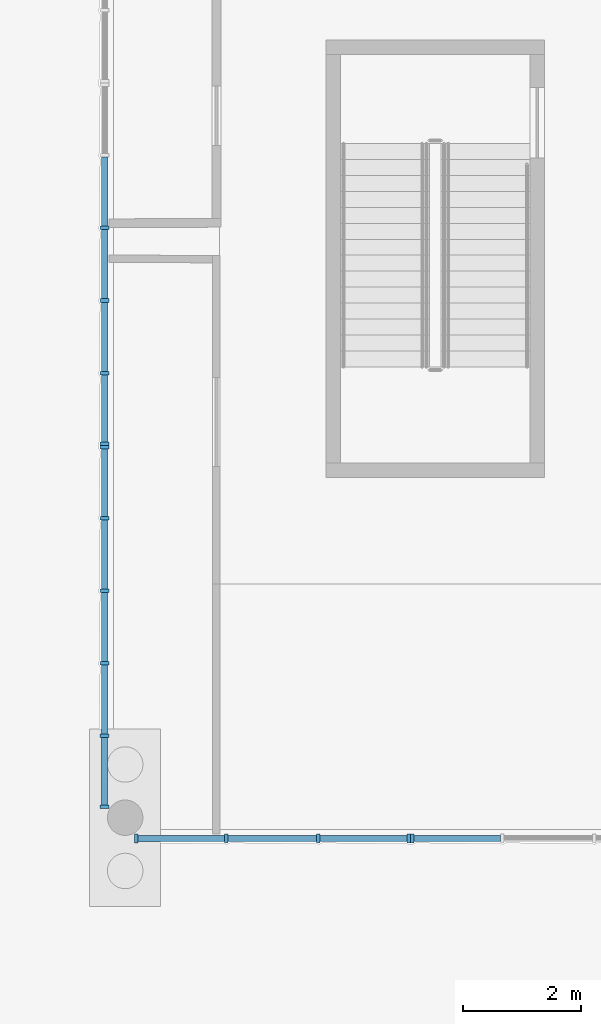
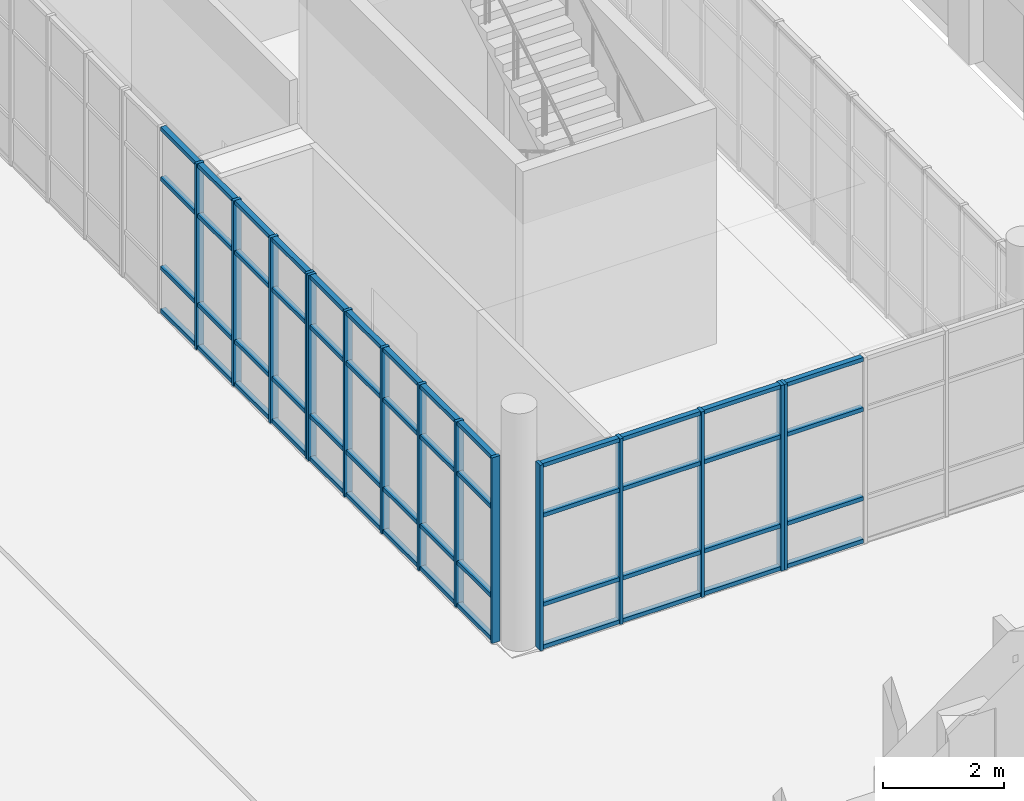
# One storey, part 12 of 110: 67 members, 4 elements without a shape of their own.
"""IFC4 building model written with IfcOpenShell, lengths in metres."""

import ifcopenshell
import ifcopenshell.guid

model = None  # the IFC model being written
_history = None  # IfcOwnerHistory: only IFC2X3 demands one
_inside = {}  # id of a spatial element -> (the spatial element, [elements in it])
_under = {}  # id of a project, library or spatial element -> (it, [spatial elements below it])
_declared = {}  # id of a project -> (the project, [libraries it declares])
_typed = {}  # id of a type object -> (the type object, [elements of that type])
_made_of = {}  # id of a material, layer set ... -> (it, [elements and type objects made of it])


def new_model(schema):
    """Start an empty IFC model of exactly this schema.

    Asked for "IFC4X3", IfcOpenShell would pick the latest addendum, in which some entities
    have other attributes; the version numbers below select the first issue.
    IFC2X3 requires an IfcOwnerHistory on every rooted entity: one is made here for all.
    """
    global model, _history
    if schema == "IFC4X3":
        model = ifcopenshell.file(schema_version=(4, 3, 0, 0))
    else:
        model = ifcopenshell.file(schema=schema)
    _inside.clear()
    _under.clear()
    _declared.clear()
    _typed.clear()
    _made_of.clear()
    _history = None
    if model.schema == "IFC2X3":
        org = make("IfcOrganization", Name="unknown")
        user = make(
            "IfcPersonAndOrganization",
            ThePerson=make("IfcPerson", FamilyName="unknown"),
            TheOrganization=org,
        )
        app = make(
            "IfcApplication",
            ApplicationDeveloper=org,
            Version="unknown",
            ApplicationFullName="unknown",
            ApplicationIdentifier="unknown",
        )
        _history = make(
            "IfcOwnerHistory",
            OwningUser=user,
            OwningApplication=app,
            ChangeAction="ADDED",
            CreationDate=0,
        )
    return model


def make(cls, **values):
    """One entity of the class cls with the attributes given. An attribute that is None is left unset."""
    return model.create_entity(
        cls, **{name: value for name, value in values.items() if value is not None}
    )


def rooted(cls, **values):
    """An entity with a GlobalId (a new one), such as an element, a storey or a relation."""
    return make(cls, GlobalId=ifcopenshell.guid.new(), OwnerHistory=_history, **values)


def si_unit(unit_type, name, prefix=None):
    """IfcSIUnit, for example si_unit("LENGTHUNIT", "METRE", prefix="MILLI")."""
    return make("IfcSIUnit", UnitType=unit_type, Prefix=prefix, Name=name)


def assignment(units):
    """IfcUnitAssignment: the units of a project."""
    return None if units is None else make("IfcUnitAssignment", Units=units)


def point(xyz):
    """IfcCartesianPoint."""
    return None if xyz is None else make("IfcCartesianPoint", Coordinates=xyz)


def direction(xyz):
    """IfcDirection."""
    return None if xyz is None else make("IfcDirection", DirectionRatios=xyz)


def frame(location, z_axis=None, x_axis=None):
    """IfcAxis2Placement3D, a coordinate frame: its origin and axes. An axis left out is left unset."""
    return make(
        "IfcAxis2Placement3D",
        Location=point(location),
        Axis=direction(z_axis),
        RefDirection=direction(x_axis),
    )


def frame_2d(location, x_axis=None):
    """IfcAxis2Placement2D, a coordinate frame in the plane: its origin and x axis."""
    return make(
        "IfcAxis2Placement2D", Location=point(location), RefDirection=direction(x_axis)
    )


def origin():
    """The frame at (0, 0, 0) with its axes left unset."""
    return frame((0.0, 0.0, 0.0))


def origin_2d():
    """The frame at (0, 0) in the plane with its x axis left unset."""
    return frame_2d((0.0, 0.0))


def place(relative_to, where):
    """IfcLocalPlacement: puts the frame where relative to a parent placement (None: the world)."""
    return make(
        "IfcLocalPlacement", PlacementRelTo=relative_to, RelativePlacement=where
    )


def context(
    kind, dimensions, precision=None, world=None, true_north=None, identifier=None
):
    """IfcGeometricRepresentationContext, for example the 3D "Model" context."""
    return make(
        "IfcGeometricRepresentationContext",
        ContextIdentifier=identifier,
        ContextType=kind,
        CoordinateSpaceDimension=dimensions,
        Precision=precision,
        WorldCoordinateSystem=world,
        TrueNorth=true_north,
    )


def subcontext(parent, identifier, kind, view, scale=None):
    """IfcGeometricRepresentationSubContext, for example "Body" below "Model"."""
    return make(
        "IfcGeometricRepresentationSubContext",
        ContextIdentifier=identifier,
        ContextType=kind,
        ParentContext=parent,
        TargetScale=scale,
        TargetView=view,
    )


def project(units=None, contexts=None):
    """IfcProject with its units and contexts."""
    return rooted(
        "IfcProject",
        Name="project",
        RepresentationContexts=contexts,
        UnitsInContext=assignment(units),
    )


def spatial(cls, under=None, at=None, **own):
    """A site, building, storey or space (cls), placed at a placement, below another one or the project."""
    s = rooted(cls, ObjectPlacement=at, **own)
    if under is not None:
        _under.setdefault(under.id(), (under, []))[1].append(s)
    return s


def profile(cls, at=None, kind="AREA", **sizes):
    """A parametric profile (cls). Its sizes go by their IFC names, for example OverallWidth=200.0."""
    return make(cls, ProfileType=kind, Position=at, **sizes)


def rectangle(**sizes):
    """IfcRectangleProfileDef."""
    return profile("IfcRectangleProfileDef", **sizes)


def extrude(swept, where, along, depth):
    """IfcExtrudedAreaSolid: the profile swept, set in the frame where, extruded along a direction by depth."""
    return make(
        "IfcExtrudedAreaSolid",
        SweptArea=swept,
        Position=where,
        ExtrudedDirection=direction(along),
        Depth=depth,
    )


def shape(context_of_items, identifier, shape_type, items):
    """IfcShapeRepresentation: the items that make up one representation, for example the "Body"."""
    return make(
        "IfcShapeRepresentation",
        ContextOfItems=context_of_items,
        RepresentationIdentifier=identifier,
        RepresentationType=shape_type,
        Items=items,
    )


def material(Name=None, Category=None):
    """IfcMaterial."""
    return make("IfcMaterial", Name=Name, Category=Category)


def layer(
    of_material, thickness, ventilated=None, Name=None, Category=None, Priority=None
):
    """IfcMaterialLayer: one layer of a wall or slab, of a material (None: an air gap)."""
    return make(
        "IfcMaterialLayer",
        Material=of_material,
        LayerThickness=thickness,
        IsVentilated=ventilated,
        Name=Name,
        Category=Category,
        Priority=Priority,
    )


def layer_set(layers, Name=None):
    """IfcMaterialLayerSet."""
    return make("IfcMaterialLayerSet", MaterialLayers=layers, LayerSetName=Name)


def material_profile(
    of_material, cross_section, Name=None, Category=None, Priority=None
):
    """IfcMaterialProfile: a cross section and its material."""
    return make(
        "IfcMaterialProfile",
        Name=Name,
        Material=of_material,
        Profile=cross_section,
        Priority=Priority,
        Category=Category,
    )


def profile_set(profiles, Name=None, composite=None):
    """IfcMaterialProfileSet."""
    return make(
        "IfcMaterialProfileSet",
        Name=Name,
        MaterialProfiles=profiles,
        CompositeProfile=composite,
    )


def made_of(thing, what):
    """Note that an element or type object is made of a material, layer set ...; save() writes the relation."""
    if what is not None:
        _made_of.setdefault(what.id(), (what, []))[1].append(thing)
    return thing


def type_object(cls, material=None, **own):
    """A type object (cls), such as IfcWallType, which elements share."""
    return made_of(rooted(cls, **own), material)


def element(
    cls,
    number,
    at=None,
    inside=None,
    cuts=None,
    type_object=None,
    material=None,
    context=None,
    identifier="Body",
    shape_type=None,
    held_by="IfcProductDefinitionShape",
    body=None,
    shapes=None,
    **own,
):
    """One element of the class cls, such as IfcWall. Its Tag is "e" and its number.

    at: its placement. inside: the storey or other place that contains it. cuts: it is an
    opening in that element (IfcRelVoidsElement). A single representation is given by context,
    identifier, shape_type and body (its items); several are given by shapes. held_by: the class
    of the entity that holds the representations. save() writes the other relations.
    """
    e = rooted(cls, Tag="e%d" % number, ObjectPlacement=at, **own)
    if body is not None:
        shapes = [shape(context, identifier, shape_type, body)]
    if shapes is not None:
        e.Representation = make(held_by, Representations=shapes)
    if inside is not None:
        _inside.setdefault(inside.id(), (inside, []))[1].append(e)
    if cuts is not None:
        rooted(
            "IfcRelVoidsElement", RelatingBuildingElement=cuts, RelatedOpeningElement=e
        )
    if type_object is not None:
        _typed.setdefault(type_object.id(), (type_object, []))[1].append(e)
    return made_of(e, material)


def aggregate(whole, parts):
    """IfcRelAggregates: a whole, such as a stair, and the parts it consists of."""
    return rooted("IfcRelAggregates", RelatingObject=whole, RelatedObjects=parts)


def save(model, path):
    """Write the relations noted so far, then the file.

    IfcRelAggregates (storeys below a building ...), IfcRelContainedInSpatialStructure (elements
    in a storey), IfcRelDefinesByType, IfcRelAssociatesMaterial and IfcRelDeclares: one each for
    every whole, place, type object, material and project.
    """
    for whole, parts in _under.values():
        aggregate(whole, parts)
    for where, things in _inside.values():
        rooted(
            "IfcRelContainedInSpatialStructure",
            RelatedElements=things,
            RelatingStructure=where,
        )
    for kind, things in _typed.values():
        rooted("IfcRelDefinesByType", RelatedObjects=things, RelatingType=kind)
    for what, things in _made_of.values():
        rooted("IfcRelAssociatesMaterial", RelatedObjects=things, RelatingMaterial=what)
    for by, libraries in _declared.values():
        rooted("IfcRelDeclares", RelatingContext=by, RelatedDefinitions=libraries)
    model.write(path)


model = new_model("IFC4")

# Units and contexts
model_context = context("Model", 3, precision=1e-05, world=origin(), true_north=direction((0.0, 1.0)))
body_context = subcontext(model_context, "Body", "Model", "MODEL_VIEW")
ifc_project = project(units=[si_unit("LENGTHUNIT", "METRE"), si_unit("AREAUNIT", "SQUARE_METRE"), si_unit("VOLUMEUNIT", "CUBIC_METRE"), si_unit("PLANEANGLEUNIT", "RADIAN"), si_unit("MASSUNIT", "GRAM", prefix="KILO")], contexts=[model_context])

# Site, building, storey
site_placement = place(None, origin())
site = spatial("IfcSite", under=ifc_project, at=site_placement, CompositionType="ELEMENT")
building_placement = place(site_placement, origin())
building = spatial("IfcBuilding", under=site, at=building_placement, Name="Larchfold Concert Hall", CompositionType="ELEMENT")
storey_placement = place(building_placement, origin())
storey = spatial("IfcBuildingStorey", under=building, at=storey_placement, Name="L00", CompositionType="ELEMENT", Elevation=0.0)

# Curtain wall, members
ifc_material_1 = material(Name="Anodised graphite aluminium curtain wall", Category="aluminium")
ifc_layer = layer(ifc_material_1, 0.14990234375)
ifc_layer_set = layer_set([ifc_layer], Name="Anodised graphite aluminium curtain wall")
curtain_wall_type = type_object("IfcCurtainWallType", Name="Curtain wall WG", PredefinedType="NOTDEFINED", material=ifc_layer_set)
curtain_wall_1_placement = place(storey_placement, origin())
curtain_wall_1 = element("IfcCurtainWall", 1, at=curtain_wall_1_placement, inside=storey, type_object=curtain_wall_type, Name="Curtain wall CW0129", PredefinedType="NOTDEFINED")
ifc_material_2 = material(Name="Anodised graphite aluminium mullion", Category="aluminium")
ifc_material_profile_1 = material_profile(ifc_material_2, rectangle(XDim=0.14990234375, YDim=0.06005859375, at=origin_2d()))
ifc_profile_set_1 = profile_set([ifc_material_profile_1], Name="Anodised graphite aluminium mullion")
member_type_1 = type_object("IfcMemberType", Name="Aluminium mullion 60x150", PredefinedType="MULLION", material=ifc_profile_set_1)
member_1_placement = place(storey_placement, frame((10.408447265625, 44.521728515625, 0.0), z_axis=(0.0, 0.0, 1.0), x_axis=(1.0, 0.0, 0.0)))
member_1 = element("IfcMember", 2, at=member_1_placement, type_object=member_type_1, Name="CW0129 mullion 3", PredefinedType="MULLION", context=body_context, shape_type="SweptSolid", body=[
    extrude(rectangle(XDim=0.14990234375, YDim=0.06005859375, at=origin_2d()), origin(), (0.0, 0.0, 1.0), 3.75),
])
member_2_placement = place(storey_placement, frame((10.408447265625, 43.295166015625, 0.0), z_axis=(0.0, 0.0, 1.0), x_axis=(1.0, 0.0, 0.0)))
member_2 = element("IfcMember", 3, at=member_2_placement, type_object=member_type_1, Name="CW0129 mullion 4", PredefinedType="MULLION", context=body_context, shape_type="SweptSolid", body=[
    extrude(rectangle(XDim=0.14990234375, YDim=0.06005859375, at=origin_2d()), origin(), (0.0, 0.0, 1.0), 3.75),
])
member_3_placement = place(storey_placement, frame((10.408447265625, 42.068359375, 0.0), z_axis=(0.0, 0.0, 1.0), x_axis=(1.0, 0.0, 0.0)))
member_3 = element("IfcMember", 4, at=member_3_placement, type_object=member_type_1, Name="CW0129 mullion 5", PredefinedType="MULLION", context=body_context, shape_type="SweptSolid", body=[
    extrude(rectangle(XDim=0.14990234375, YDim=0.06005859375, at=origin_2d()), origin(), (0.0, 0.0, 1.0), 3.75),
])
member_4_placement = place(storey_placement, frame((10.408447265625, 40.871826171875, 0.0), z_axis=(0.0, 0.0, 1.0), x_axis=(1.0, 0.0, 0.0)))
member_4 = element("IfcMember", 5, at=member_4_placement, type_object=member_type_1, Name="CW0129 mullion 6", PredefinedType="MULLION", context=body_context, shape_type="SweptSolid", body=[
    extrude(rectangle(XDim=0.14990234375, YDim=0.06005859375, at=origin_2d()), origin(), (0.0, 0.0, 1.0), 3.75),
])

curtain_wall_2_placement = place(storey_placement, origin())
curtain_wall_2 = element("IfcCurtainWall", 6, at=curtain_wall_2_placement, inside=storey, type_object=curtain_wall_type, Name="Curtain wall CW0130", PredefinedType="NOTDEFINED")
member_5_placement = place(storey_placement, frame((10.408447265625, 40.811767578125, 0.0), z_axis=(0.0, 0.0, 1.0), x_axis=(1.0, 0.0, 0.0)))
member_5 = element("IfcMember", 7, at=member_5_placement, type_object=member_type_1, Name="CW0130 mullion 1", PredefinedType="MULLION", context=body_context, shape_type="SweptSolid", body=[
    extrude(rectangle(XDim=0.14990234375, YDim=0.06005859375, at=origin_2d()), origin(), (0.0, 0.0, 1.0), 3.75),
])
member_6_placement = place(storey_placement, frame((10.408447265625, 39.615234375, 0.0), z_axis=(0.0, 0.0, 1.0), x_axis=(1.0, 0.0, 0.0)))
member_6 = element("IfcMember", 8, at=member_6_placement, type_object=member_type_1, Name="CW0130 mullion 2", PredefinedType="MULLION", context=body_context, shape_type="SweptSolid", body=[
    extrude(rectangle(XDim=0.14990234375, YDim=0.06005859375, at=origin_2d()), origin(), (0.0, 0.0, 1.0), 3.75),
])
member_7_placement = place(storey_placement, frame((10.408447265625, 38.388671875, 0.0), z_axis=(0.0, 0.0, 1.0), x_axis=(1.0, 0.0, 0.0)))
member_7 = element("IfcMember", 9, at=member_7_placement, type_object=member_type_1, Name="CW0130 mullion 3", PredefinedType="MULLION", context=body_context, shape_type="SweptSolid", body=[
    extrude(rectangle(XDim=0.14990234375, YDim=0.06005859375, at=origin_2d()), origin(), (0.0, 0.0, 1.0), 3.75),
])
member_8_placement = place(storey_placement, frame((10.408447265625, 37.161865234375, 0.0), z_axis=(0.0, 0.0, 1.0), x_axis=(1.0, 0.0, 0.0)))
member_8 = element("IfcMember", 10, at=member_8_placement, type_object=member_type_1, Name="CW0130 mullion 4", PredefinedType="MULLION", context=body_context, shape_type="SweptSolid", body=[
    extrude(rectangle(XDim=0.14990234375, YDim=0.06005859375, at=origin_2d()), origin(), (0.0, 0.0, 1.0), 3.75),
])
member_9_placement = place(storey_placement, frame((10.408447265625, 35.935302734375, 0.0), z_axis=(0.0, 0.0, 1.0), x_axis=(1.0, 0.0, 0.0)))
member_9 = element("IfcMember", 11, at=member_9_placement, type_object=member_type_1, Name="CW0130 mullion 5", PredefinedType="MULLION", context=body_context, shape_type="SweptSolid", body=[
    extrude(rectangle(XDim=0.14990234375, YDim=0.06005859375, at=origin_2d()), origin(), (0.0, 0.0, 1.0), 3.75),
])
member_10_placement = place(storey_placement, frame((10.408447265625, 34.73876953125, 0.0), z_axis=(0.0, 0.0, 1.0), x_axis=(1.0, 0.0, 0.0)))
member_10 = element("IfcMember", 12, at=member_10_placement, type_object=member_type_1, Name="CW0130 mullion 6", PredefinedType="MULLION", context=body_context, shape_type="SweptSolid", body=[
    extrude(rectangle(XDim=0.14990234375, YDim=0.06005859375, at=origin_2d()), origin(), (0.0, 0.0, 1.0), 3.75),
])

curtain_wall_3_placement = place(storey_placement, origin())
curtain_wall_3 = element("IfcCurtainWall", 13, at=curtain_wall_3_placement, inside=storey, type_object=curtain_wall_type, Name="Curtain wall CW0131", PredefinedType="NOTDEFINED")
member_11_placement = place(storey_placement, frame((10.945556640625, 34.199951171875, 0.0), z_axis=(0.0, 0.0, 1.0), x_axis=(0.0, 1.0, 0.0)))
member_11 = element("IfcMember", 14, at=member_11_placement, type_object=member_type_1, Name="CW0131 mullion 1", PredefinedType="MULLION", context=body_context, shape_type="SweptSolid", body=[
    extrude(rectangle(XDim=0.14990234375, YDim=0.06005859375, at=origin_2d()), origin(), (0.0, 0.0, 1.0), 3.75),
])
member_12_placement = place(storey_placement, frame((12.469970703125, 34.199951171875, 0.0), z_axis=(0.0, 0.0, 1.0), x_axis=(0.0, 1.0, 0.0)))
member_12 = element("IfcMember", 15, at=member_12_placement, type_object=member_type_1, Name="CW0131 mullion 2", PredefinedType="MULLION", context=body_context, shape_type="SweptSolid", body=[
    extrude(rectangle(XDim=0.14990234375, YDim=0.06005859375, at=origin_2d()), origin(), (0.0, 0.0, 1.0), 3.75),
])
member_13_placement = place(storey_placement, frame((14.024169921875, 34.199951171875, 0.0), z_axis=(0.0, 0.0, 1.0), x_axis=(0.0, 1.0, 0.0)))
member_13 = element("IfcMember", 16, at=member_13_placement, type_object=member_type_1, Name="CW0131 mullion 3", PredefinedType="MULLION", context=body_context, shape_type="SweptSolid", body=[
    extrude(rectangle(XDim=0.14990234375, YDim=0.06005859375, at=origin_2d()), origin(), (0.0, 0.0, 1.0), 3.75),
])
member_14_placement = place(storey_placement, frame((15.548583984375, 34.199951171875, 0.0), z_axis=(0.0, 0.0, 1.0), x_axis=(0.0, 1.0, 0.0)))
member_14 = element("IfcMember", 17, at=member_14_placement, type_object=member_type_1, Name="CW0131 mullion 4", PredefinedType="MULLION", context=body_context, shape_type="SweptSolid", body=[
    extrude(rectangle(XDim=0.14990234375, YDim=0.06005859375, at=origin_2d()), origin(), (0.0, 0.0, 1.0), 3.75),
])

# Curtain wall, member
curtain_wall_4_placement = place(storey_placement, origin())
curtain_wall_4 = element("IfcCurtainWall", 18, at=curtain_wall_4_placement, inside=storey, type_object=curtain_wall_type, Name="Curtain wall CW0132", PredefinedType="NOTDEFINED")
member_15_placement = place(storey_placement, frame((15.608642578125, 34.199951171875, 0.0), z_axis=(0.0, 0.0, 1.0), x_axis=(0.0, 1.0, 0.0)))
member_15 = element("IfcMember", 19, at=member_15_placement, type_object=member_type_1, Name="CW0132 mullion 1", PredefinedType="MULLION", context=body_context, shape_type="SweptSolid", body=[
    extrude(rectangle(XDim=0.14990234375, YDim=0.06005859375, at=origin_2d()), origin(), (0.0, 0.0, 1.0), 3.75),
])

# Member
ifc_material_3 = material(Name="Anodised graphite aluminium transom", Category="aluminium")
ifc_material_profile_2 = material_profile(ifc_material_3, rectangle(XDim=0.10009765625, YDim=0.080078125, at=origin_2d()))
ifc_profile_set_2 = profile_set([ifc_material_profile_2], Name="Anodised graphite aluminium transom")
member_type_2 = type_object("IfcMemberType", Name="Aluminium transom 80x100", PredefinedType="USERDEFINED", material=ifc_profile_set_2)
member_16_placement = place(storey_placement, frame((10.408447265625, 45.718505859375, 0.0400390625), z_axis=(0.0, -1.0, 0.0), x_axis=(1.0, 0.0, 0.0)))
member_16 = element("IfcMember", 20, at=member_16_placement, type_object=member_type_2, Name="CW0129 transom 2.1", ObjectType="TRANSOM", PredefinedType="USERDEFINED", context=body_context, shape_type="SweptSolid", body=[
    extrude(rectangle(XDim=0.10009765625, YDim=0.080078125, at=origin_2d()), origin(), (0.0, 0.0, 1.0), 1.166748046875),
])

member_17_placement = place(storey_placement, frame((10.408447265625, 45.718505859375, 0.89990234375), z_axis=(0.0, -1.0, 0.0), x_axis=(1.0, 0.0, 0.0)))
member_17 = element("IfcMember", 21, at=member_17_placement, type_object=member_type_2, Name="CW0129 transom 2.2", ObjectType="TRANSOM", PredefinedType="USERDEFINED", context=body_context, shape_type="SweptSolid", body=[
    extrude(rectangle(XDim=0.10009765625, YDim=0.080078125, at=origin_2d()), origin(), (0.0, 0.0, 1.0), 1.166748046875),
])

member_18_placement = place(storey_placement, frame((10.408447265625, 45.718505859375, 2.699951171875), z_axis=(0.0, -1.0, 0.0), x_axis=(1.0, 0.0, 0.0)))
member_18 = element("IfcMember", 22, at=member_18_placement, type_object=member_type_2, Name="CW0129 transom 2.3", ObjectType="TRANSOM", PredefinedType="USERDEFINED", context=body_context, shape_type="SweptSolid", body=[
    extrude(rectangle(XDim=0.10009765625, YDim=0.080078125, at=origin_2d()), origin(), (0.0, 0.0, 1.0), 1.166748046875),
])

member_19_placement = place(storey_placement, frame((10.408447265625, 45.718505859375, 3.7099609375), z_axis=(0.0, -1.0, 0.0), x_axis=(1.0, 0.0, 0.0)))
member_19 = element("IfcMember", 23, at=member_19_placement, type_object=member_type_2, Name="CW0129 transom 2.4", ObjectType="TRANSOM", PredefinedType="USERDEFINED", context=body_context, shape_type="SweptSolid", body=[
    extrude(rectangle(XDim=0.10009765625, YDim=0.080078125, at=origin_2d()), origin(), (0.0, 0.0, 1.0), 1.166748046875),
])

member_20_placement = place(storey_placement, frame((10.408447265625, 44.49169921875, 0.0400390625), z_axis=(0.0, -1.0, 0.0), x_axis=(1.0, 0.0, 0.0)))
member_20 = element("IfcMember", 24, at=member_20_placement, type_object=member_type_2, Name="CW0129 transom 3.1", ObjectType="TRANSOM", PredefinedType="USERDEFINED", context=body_context, shape_type="SweptSolid", body=[
    extrude(rectangle(XDim=0.10009765625, YDim=0.080078125, at=origin_2d()), origin(), (0.0, 0.0, 1.0), 1.16650390625),
])

member_21_placement = place(storey_placement, frame((10.408447265625, 44.49169921875, 0.89990234375), z_axis=(0.0, -1.0, 0.0), x_axis=(1.0, 0.0, 0.0)))
member_21 = element("IfcMember", 25, at=member_21_placement, type_object=member_type_2, Name="CW0129 transom 3.2", ObjectType="TRANSOM", PredefinedType="USERDEFINED", context=body_context, shape_type="SweptSolid", body=[
    extrude(rectangle(XDim=0.10009765625, YDim=0.080078125, at=origin_2d()), origin(), (0.0, 0.0, 1.0), 1.16650390625),
])

member_22_placement = place(storey_placement, frame((10.408447265625, 44.49169921875, 2.699951171875), z_axis=(0.0, -1.0, 0.0), x_axis=(1.0, 0.0, 0.0)))
member_22 = element("IfcMember", 26, at=member_22_placement, type_object=member_type_2, Name="CW0129 transom 3.3", ObjectType="TRANSOM", PredefinedType="USERDEFINED", context=body_context, shape_type="SweptSolid", body=[
    extrude(rectangle(XDim=0.10009765625, YDim=0.080078125, at=origin_2d()), origin(), (0.0, 0.0, 1.0), 1.16650390625),
])

member_23_placement = place(storey_placement, frame((10.408447265625, 44.49169921875, 3.7099609375), z_axis=(0.0, -1.0, 0.0), x_axis=(1.0, 0.0, 0.0)))
member_23 = element("IfcMember", 27, at=member_23_placement, type_object=member_type_2, Name="CW0129 transom 3.4", ObjectType="TRANSOM", PredefinedType="USERDEFINED", context=body_context, shape_type="SweptSolid", body=[
    extrude(rectangle(XDim=0.10009765625, YDim=0.080078125, at=origin_2d()), origin(), (0.0, 0.0, 1.0), 1.16650390625),
])

member_24_placement = place(storey_placement, frame((10.408447265625, 43.26513671875, 0.0400390625), z_axis=(0.0, -1.0, 0.0), x_axis=(1.0, 0.0, 0.0)))
member_24 = element("IfcMember", 28, at=member_24_placement, type_object=member_type_2, Name="CW0129 transom 4.1", ObjectType="TRANSOM", PredefinedType="USERDEFINED", context=body_context, shape_type="SweptSolid", body=[
    extrude(rectangle(XDim=0.10009765625, YDim=0.080078125, at=origin_2d()), origin(), (0.0, 0.0, 1.0), 1.166748046875),
])

member_25_placement = place(storey_placement, frame((10.408447265625, 43.26513671875, 0.89990234375), z_axis=(0.0, -1.0, 0.0), x_axis=(1.0, 0.0, 0.0)))
member_25 = element("IfcMember", 29, at=member_25_placement, type_object=member_type_2, Name="CW0129 transom 4.2", ObjectType="TRANSOM", PredefinedType="USERDEFINED", context=body_context, shape_type="SweptSolid", body=[
    extrude(rectangle(XDim=0.10009765625, YDim=0.080078125, at=origin_2d()), origin(), (0.0, 0.0, 1.0), 1.166748046875),
])

member_26_placement = place(storey_placement, frame((10.408447265625, 43.26513671875, 2.699951171875), z_axis=(0.0, -1.0, 0.0), x_axis=(1.0, 0.0, 0.0)))
member_26 = element("IfcMember", 30, at=member_26_placement, type_object=member_type_2, Name="CW0129 transom 4.3", ObjectType="TRANSOM", PredefinedType="USERDEFINED", context=body_context, shape_type="SweptSolid", body=[
    extrude(rectangle(XDim=0.10009765625, YDim=0.080078125, at=origin_2d()), origin(), (0.0, 0.0, 1.0), 1.166748046875),
])

member_27_placement = place(storey_placement, frame((10.408447265625, 43.26513671875, 3.7099609375), z_axis=(0.0, -1.0, 0.0), x_axis=(1.0, 0.0, 0.0)))
member_27 = element("IfcMember", 31, at=member_27_placement, type_object=member_type_2, Name="CW0129 transom 4.4", ObjectType="TRANSOM", PredefinedType="USERDEFINED", context=body_context, shape_type="SweptSolid", body=[
    extrude(rectangle(XDim=0.10009765625, YDim=0.080078125, at=origin_2d()), origin(), (0.0, 0.0, 1.0), 1.166748046875),
])

member_28_placement = place(storey_placement, frame((10.408447265625, 42.03857421875, 0.0400390625), z_axis=(0.0, -1.0, 0.0), x_axis=(1.0, 0.0, 0.0)))
member_28 = element("IfcMember", 32, at=member_28_placement, type_object=member_type_2, Name="CW0129 transom 5.1", ObjectType="TRANSOM", PredefinedType="USERDEFINED", context=body_context, shape_type="SweptSolid", body=[
    extrude(rectangle(XDim=0.10009765625, YDim=0.080078125, at=origin_2d()), origin(), (0.0, 0.0, 1.0), 1.13671875),
])

member_29_placement = place(storey_placement, frame((10.408447265625, 42.03857421875, 0.89990234375), z_axis=(0.0, -1.0, 0.0), x_axis=(1.0, 0.0, 0.0)))
member_29 = element("IfcMember", 33, at=member_29_placement, type_object=member_type_2, Name="CW0129 transom 5.2", ObjectType="TRANSOM", PredefinedType="USERDEFINED", context=body_context, shape_type="SweptSolid", body=[
    extrude(rectangle(XDim=0.10009765625, YDim=0.080078125, at=origin_2d()), origin(), (0.0, 0.0, 1.0), 1.13671875),
])

member_30_placement = place(storey_placement, frame((10.408447265625, 42.03857421875, 2.699951171875), z_axis=(0.0, -1.0, 0.0), x_axis=(1.0, 0.0, 0.0)))
member_30 = element("IfcMember", 34, at=member_30_placement, type_object=member_type_2, Name="CW0129 transom 5.3", ObjectType="TRANSOM", PredefinedType="USERDEFINED", context=body_context, shape_type="SweptSolid", body=[
    extrude(rectangle(XDim=0.10009765625, YDim=0.080078125, at=origin_2d()), origin(), (0.0, 0.0, 1.0), 1.13671875),
])

member_31_placement = place(storey_placement, frame((10.408447265625, 42.03857421875, 3.7099609375), z_axis=(0.0, -1.0, 0.0), x_axis=(1.0, 0.0, 0.0)))
member_31 = element("IfcMember", 35, at=member_31_placement, type_object=member_type_2, Name="CW0129 transom 5.4", ObjectType="TRANSOM", PredefinedType="USERDEFINED", context=body_context, shape_type="SweptSolid", body=[
    extrude(rectangle(XDim=0.10009765625, YDim=0.080078125, at=origin_2d()), origin(), (0.0, 0.0, 1.0), 1.13671875),
])

aggregate(curtain_wall_1, [member_1, member_2, member_3, member_4, member_16, member_17, member_18, member_19, member_20, member_21, member_22, member_23, member_24, member_25, member_26, member_27, member_28, member_29, member_30, member_31])

member_32_placement = place(storey_placement, frame((10.408447265625, 40.78173828125, 0.0400390625), z_axis=(0.0, -1.0, 0.0), x_axis=(1.0, 0.0, 0.0)))
member_32 = element("IfcMember", 36, at=member_32_placement, type_object=member_type_2, Name="CW0130 transom 1.1", ObjectType="TRANSOM", PredefinedType="USERDEFINED", context=body_context, shape_type="SweptSolid", body=[
    extrude(rectangle(XDim=0.10009765625, YDim=0.080078125, at=origin_2d()), origin(), (0.0, 0.0, 1.0), 1.136474609375),
])

member_33_placement = place(storey_placement, frame((10.408447265625, 40.78173828125, 0.89990234375), z_axis=(0.0, -1.0, 0.0), x_axis=(1.0, 0.0, 0.0)))
member_33 = element("IfcMember", 37, at=member_33_placement, type_object=member_type_2, Name="CW0130 transom 1.2", ObjectType="TRANSOM", PredefinedType="USERDEFINED", context=body_context, shape_type="SweptSolid", body=[
    extrude(rectangle(XDim=0.10009765625, YDim=0.080078125, at=origin_2d()), origin(), (0.0, 0.0, 1.0), 1.136474609375),
])

member_34_placement = place(storey_placement, frame((10.408447265625, 40.78173828125, 2.699951171875), z_axis=(0.0, -1.0, 0.0), x_axis=(1.0, 0.0, 0.0)))
member_34 = element("IfcMember", 38, at=member_34_placement, type_object=member_type_2, Name="CW0130 transom 1.3", ObjectType="TRANSOM", PredefinedType="USERDEFINED", context=body_context, shape_type="SweptSolid", body=[
    extrude(rectangle(XDim=0.10009765625, YDim=0.080078125, at=origin_2d()), origin(), (0.0, 0.0, 1.0), 1.136474609375),
])

member_35_placement = place(storey_placement, frame((10.408447265625, 40.78173828125, 3.7099609375), z_axis=(0.0, -1.0, 0.0), x_axis=(1.0, 0.0, 0.0)))
member_35 = element("IfcMember", 39, at=member_35_placement, type_object=member_type_2, Name="CW0130 transom 1.4", ObjectType="TRANSOM", PredefinedType="USERDEFINED", context=body_context, shape_type="SweptSolid", body=[
    extrude(rectangle(XDim=0.10009765625, YDim=0.080078125, at=origin_2d()), origin(), (0.0, 0.0, 1.0), 1.136474609375),
])

member_36_placement = place(storey_placement, frame((10.408447265625, 39.585205078125, 0.0400390625), z_axis=(0.0, -1.0, 0.0), x_axis=(1.0, 0.0, 0.0)))
member_36 = element("IfcMember", 40, at=member_36_placement, type_object=member_type_2, Name="CW0130 transom 2.1", ObjectType="TRANSOM", PredefinedType="USERDEFINED", context=body_context, shape_type="SweptSolid", body=[
    extrude(rectangle(XDim=0.10009765625, YDim=0.080078125, at=origin_2d()), origin(), (0.0, 0.0, 1.0), 1.166748046875),
])

member_37_placement = place(storey_placement, frame((10.408447265625, 39.585205078125, 0.89990234375), z_axis=(0.0, -1.0, 0.0), x_axis=(1.0, 0.0, 0.0)))
member_37 = element("IfcMember", 41, at=member_37_placement, type_object=member_type_2, Name="CW0130 transom 2.2", ObjectType="TRANSOM", PredefinedType="USERDEFINED", context=body_context, shape_type="SweptSolid", body=[
    extrude(rectangle(XDim=0.10009765625, YDim=0.080078125, at=origin_2d()), origin(), (0.0, 0.0, 1.0), 1.166748046875),
])

member_38_placement = place(storey_placement, frame((10.408447265625, 39.585205078125, 2.699951171875), z_axis=(0.0, -1.0, 0.0), x_axis=(1.0, 0.0, 0.0)))
member_38 = element("IfcMember", 42, at=member_38_placement, type_object=member_type_2, Name="CW0130 transom 2.3", ObjectType="TRANSOM", PredefinedType="USERDEFINED", context=body_context, shape_type="SweptSolid", body=[
    extrude(rectangle(XDim=0.10009765625, YDim=0.080078125, at=origin_2d()), origin(), (0.0, 0.0, 1.0), 1.166748046875),
])

member_39_placement = place(storey_placement, frame((10.408447265625, 39.585205078125, 3.7099609375), z_axis=(0.0, -1.0, 0.0), x_axis=(1.0, 0.0, 0.0)))
member_39 = element("IfcMember", 43, at=member_39_placement, type_object=member_type_2, Name="CW0130 transom 2.4", ObjectType="TRANSOM", PredefinedType="USERDEFINED", context=body_context, shape_type="SweptSolid", body=[
    extrude(rectangle(XDim=0.10009765625, YDim=0.080078125, at=origin_2d()), origin(), (0.0, 0.0, 1.0), 1.166748046875),
])

member_40_placement = place(storey_placement, frame((10.408447265625, 38.358642578125, 0.0400390625), z_axis=(0.0, -1.0, 0.0), x_axis=(1.0, 0.0, 0.0)))
member_40 = element("IfcMember", 44, at=member_40_placement, type_object=member_type_2, Name="CW0130 transom 3.1", ObjectType="TRANSOM", PredefinedType="USERDEFINED", context=body_context, shape_type="SweptSolid", body=[
    extrude(rectangle(XDim=0.10009765625, YDim=0.080078125, at=origin_2d()), origin(), (0.0, 0.0, 1.0), 1.166748046875),
])

member_41_placement = place(storey_placement, frame((10.408447265625, 38.358642578125, 0.89990234375), z_axis=(0.0, -1.0, 0.0), x_axis=(1.0, 0.0, 0.0)))
member_41 = element("IfcMember", 45, at=member_41_placement, type_object=member_type_2, Name="CW0130 transom 3.2", ObjectType="TRANSOM", PredefinedType="USERDEFINED", context=body_context, shape_type="SweptSolid", body=[
    extrude(rectangle(XDim=0.10009765625, YDim=0.080078125, at=origin_2d()), origin(), (0.0, 0.0, 1.0), 1.166748046875),
])

member_42_placement = place(storey_placement, frame((10.408447265625, 38.358642578125, 2.699951171875), z_axis=(0.0, -1.0, 0.0), x_axis=(1.0, 0.0, 0.0)))
member_42 = element("IfcMember", 46, at=member_42_placement, type_object=member_type_2, Name="CW0130 transom 3.3", ObjectType="TRANSOM", PredefinedType="USERDEFINED", context=body_context, shape_type="SweptSolid", body=[
    extrude(rectangle(XDim=0.10009765625, YDim=0.080078125, at=origin_2d()), origin(), (0.0, 0.0, 1.0), 1.166748046875),
])

member_43_placement = place(storey_placement, frame((10.408447265625, 38.358642578125, 3.7099609375), z_axis=(0.0, -1.0, 0.0), x_axis=(1.0, 0.0, 0.0)))
member_43 = element("IfcMember", 47, at=member_43_placement, type_object=member_type_2, Name="CW0130 transom 3.4", ObjectType="TRANSOM", PredefinedType="USERDEFINED", context=body_context, shape_type="SweptSolid", body=[
    extrude(rectangle(XDim=0.10009765625, YDim=0.080078125, at=origin_2d()), origin(), (0.0, 0.0, 1.0), 1.166748046875),
])

member_44_placement = place(storey_placement, frame((10.408447265625, 37.132080078125, 0.0400390625), z_axis=(0.0, -1.0, 0.0), x_axis=(1.0, 0.0, 0.0)))
member_44 = element("IfcMember", 48, at=member_44_placement, type_object=member_type_2, Name="CW0130 transom 4.1", ObjectType="TRANSOM", PredefinedType="USERDEFINED", context=body_context, shape_type="SweptSolid", body=[
    extrude(rectangle(XDim=0.10009765625, YDim=0.080078125, at=origin_2d()), origin(), (0.0, 0.0, 1.0), 1.166748046875),
])

member_45_placement = place(storey_placement, frame((10.408447265625, 37.132080078125, 0.89990234375), z_axis=(0.0, -1.0, 0.0), x_axis=(1.0, 0.0, 0.0)))
member_45 = element("IfcMember", 49, at=member_45_placement, type_object=member_type_2, Name="CW0130 transom 4.2", ObjectType="TRANSOM", PredefinedType="USERDEFINED", context=body_context, shape_type="SweptSolid", body=[
    extrude(rectangle(XDim=0.10009765625, YDim=0.080078125, at=origin_2d()), origin(), (0.0, 0.0, 1.0), 1.166748046875),
])

member_46_placement = place(storey_placement, frame((10.408447265625, 37.132080078125, 2.699951171875), z_axis=(0.0, -1.0, 0.0), x_axis=(1.0, 0.0, 0.0)))
member_46 = element("IfcMember", 50, at=member_46_placement, type_object=member_type_2, Name="CW0130 transom 4.3", ObjectType="TRANSOM", PredefinedType="USERDEFINED", context=body_context, shape_type="SweptSolid", body=[
    extrude(rectangle(XDim=0.10009765625, YDim=0.080078125, at=origin_2d()), origin(), (0.0, 0.0, 1.0), 1.166748046875),
])

member_47_placement = place(storey_placement, frame((10.408447265625, 37.132080078125, 3.7099609375), z_axis=(0.0, -1.0, 0.0), x_axis=(1.0, 0.0, 0.0)))
member_47 = element("IfcMember", 51, at=member_47_placement, type_object=member_type_2, Name="CW0130 transom 4.4", ObjectType="TRANSOM", PredefinedType="USERDEFINED", context=body_context, shape_type="SweptSolid", body=[
    extrude(rectangle(XDim=0.10009765625, YDim=0.080078125, at=origin_2d()), origin(), (0.0, 0.0, 1.0), 1.166748046875),
])

member_48_placement = place(storey_placement, frame((10.408447265625, 35.9052734375, 0.0400390625), z_axis=(0.0, -1.0, 0.0), x_axis=(1.0, 0.0, 0.0)))
member_48 = element("IfcMember", 52, at=member_48_placement, type_object=member_type_2, Name="CW0130 transom 5.1", ObjectType="TRANSOM", PredefinedType="USERDEFINED", context=body_context, shape_type="SweptSolid", body=[
    extrude(rectangle(XDim=0.10009765625, YDim=0.080078125, at=origin_2d()), origin(), (0.0, 0.0, 1.0), 1.136474609375),
])

member_49_placement = place(storey_placement, frame((10.408447265625, 35.9052734375, 0.89990234375), z_axis=(0.0, -1.0, 0.0), x_axis=(1.0, 0.0, 0.0)))
member_49 = element("IfcMember", 53, at=member_49_placement, type_object=member_type_2, Name="CW0130 transom 5.2", ObjectType="TRANSOM", PredefinedType="USERDEFINED", context=body_context, shape_type="SweptSolid", body=[
    extrude(rectangle(XDim=0.10009765625, YDim=0.080078125, at=origin_2d()), origin(), (0.0, 0.0, 1.0), 1.136474609375),
])

member_50_placement = place(storey_placement, frame((10.408447265625, 35.9052734375, 2.699951171875), z_axis=(0.0, -1.0, 0.0), x_axis=(1.0, 0.0, 0.0)))
member_50 = element("IfcMember", 54, at=member_50_placement, type_object=member_type_2, Name="CW0130 transom 5.3", ObjectType="TRANSOM", PredefinedType="USERDEFINED", context=body_context, shape_type="SweptSolid", body=[
    extrude(rectangle(XDim=0.10009765625, YDim=0.080078125, at=origin_2d()), origin(), (0.0, 0.0, 1.0), 1.136474609375),
])

member_51_placement = place(storey_placement, frame((10.408447265625, 35.9052734375, 3.7099609375), z_axis=(0.0, -1.0, 0.0), x_axis=(1.0, 0.0, 0.0)))
member_51 = element("IfcMember", 55, at=member_51_placement, type_object=member_type_2, Name="CW0130 transom 5.4", ObjectType="TRANSOM", PredefinedType="USERDEFINED", context=body_context, shape_type="SweptSolid", body=[
    extrude(rectangle(XDim=0.10009765625, YDim=0.080078125, at=origin_2d()), origin(), (0.0, 0.0, 1.0), 1.136474609375),
])

aggregate(curtain_wall_2, [member_5, member_6, member_7, member_8, member_9, member_10, member_32, member_33, member_34, member_35, member_36, member_37, member_38, member_39, member_40, member_41, member_42, member_43, member_44, member_45, member_46, member_47, member_48, member_49, member_50, member_51])

member_52_placement = place(storey_placement, frame((10.9755859375, 34.199951171875, 0.0400390625), z_axis=(1.0, 0.0, 0.0), x_axis=(0.0, 1.0, 0.0)))
member_52 = element("IfcMember", 56, at=member_52_placement, type_object=member_type_2, Name="CW0131 transom 1.1", ObjectType="TRANSOM", PredefinedType="USERDEFINED", context=body_context, shape_type="SweptSolid", body=[
    extrude(rectangle(XDim=0.10009765625, YDim=0.080078125, at=origin_2d()), origin(), (0.0, 0.0, 1.0), 1.46435546875),
])

member_53_placement = place(storey_placement, frame((10.9755859375, 34.199951171875, 0.89990234375), z_axis=(1.0, 0.0, 0.0), x_axis=(0.0, 1.0, 0.0)))
member_53 = element("IfcMember", 57, at=member_53_placement, type_object=member_type_2, Name="CW0131 transom 1.2", ObjectType="TRANSOM", PredefinedType="USERDEFINED", context=body_context, shape_type="SweptSolid", body=[
    extrude(rectangle(XDim=0.10009765625, YDim=0.080078125, at=origin_2d()), origin(), (0.0, 0.0, 1.0), 1.46435546875),
])

member_54_placement = place(storey_placement, frame((10.9755859375, 34.199951171875, 2.699951171875), z_axis=(1.0, 0.0, 0.0), x_axis=(0.0, 1.0, 0.0)))
member_54 = element("IfcMember", 58, at=member_54_placement, type_object=member_type_2, Name="CW0131 transom 1.3", ObjectType="TRANSOM", PredefinedType="USERDEFINED", context=body_context, shape_type="SweptSolid", body=[
    extrude(rectangle(XDim=0.10009765625, YDim=0.080078125, at=origin_2d()), origin(), (0.0, 0.0, 1.0), 1.46435546875),
])

member_55_placement = place(storey_placement, frame((10.9755859375, 34.199951171875, 3.7099609375), z_axis=(1.0, 0.0, 0.0), x_axis=(0.0, 1.0, 0.0)))
member_55 = element("IfcMember", 59, at=member_55_placement, type_object=member_type_2, Name="CW0131 transom 1.4", ObjectType="TRANSOM", PredefinedType="USERDEFINED", context=body_context, shape_type="SweptSolid", body=[
    extrude(rectangle(XDim=0.10009765625, YDim=0.080078125, at=origin_2d()), origin(), (0.0, 0.0, 1.0), 1.46435546875),
])

member_56_placement = place(storey_placement, frame((12.5, 34.199951171875, 0.0400390625), z_axis=(1.0, 0.0, 0.0), x_axis=(0.0, 1.0, 0.0)))
member_56 = element("IfcMember", 60, at=member_56_placement, type_object=member_type_2, Name="CW0131 transom 2.1", ObjectType="TRANSOM", PredefinedType="USERDEFINED", context=body_context, shape_type="SweptSolid", body=[
    extrude(rectangle(XDim=0.10009765625, YDim=0.080078125, at=origin_2d()), origin(), (0.0, 0.0, 1.0), 1.494140625),
])

member_57_placement = place(storey_placement, frame((12.5, 34.199951171875, 0.89990234375), z_axis=(1.0, 0.0, 0.0), x_axis=(0.0, 1.0, 0.0)))
member_57 = element("IfcMember", 61, at=member_57_placement, type_object=member_type_2, Name="CW0131 transom 2.2", ObjectType="TRANSOM", PredefinedType="USERDEFINED", context=body_context, shape_type="SweptSolid", body=[
    extrude(rectangle(XDim=0.10009765625, YDim=0.080078125, at=origin_2d()), origin(), (0.0, 0.0, 1.0), 1.494140625),
])

member_58_placement = place(storey_placement, frame((12.5, 34.199951171875, 2.699951171875), z_axis=(1.0, 0.0, 0.0), x_axis=(0.0, 1.0, 0.0)))
member_58 = element("IfcMember", 62, at=member_58_placement, type_object=member_type_2, Name="CW0131 transom 2.3", ObjectType="TRANSOM", PredefinedType="USERDEFINED", context=body_context, shape_type="SweptSolid", body=[
    extrude(rectangle(XDim=0.10009765625, YDim=0.080078125, at=origin_2d()), origin(), (0.0, 0.0, 1.0), 1.494140625),
])

member_59_placement = place(storey_placement, frame((12.5, 34.199951171875, 3.7099609375), z_axis=(1.0, 0.0, 0.0), x_axis=(0.0, 1.0, 0.0)))
member_59 = element("IfcMember", 63, at=member_59_placement, type_object=member_type_2, Name="CW0131 transom 2.4", ObjectType="TRANSOM", PredefinedType="USERDEFINED", context=body_context, shape_type="SweptSolid", body=[
    extrude(rectangle(XDim=0.10009765625, YDim=0.080078125, at=origin_2d()), origin(), (0.0, 0.0, 1.0), 1.494140625),
])

member_60_placement = place(storey_placement, frame((14.05419921875, 34.199951171875, 0.0400390625), z_axis=(1.0, 0.0, 0.0), x_axis=(0.0, 1.0, 0.0)))
member_60 = element("IfcMember", 64, at=member_60_placement, type_object=member_type_2, Name="CW0131 transom 3.1", ObjectType="TRANSOM", PredefinedType="USERDEFINED", context=body_context, shape_type="SweptSolid", body=[
    extrude(rectangle(XDim=0.10009765625, YDim=0.080078125, at=origin_2d()), origin(), (0.0, 0.0, 1.0), 1.46435546875),
])

member_61_placement = place(storey_placement, frame((14.05419921875, 34.199951171875, 0.89990234375), z_axis=(1.0, 0.0, 0.0), x_axis=(0.0, 1.0, 0.0)))
member_61 = element("IfcMember", 65, at=member_61_placement, type_object=member_type_2, Name="CW0131 transom 3.2", ObjectType="TRANSOM", PredefinedType="USERDEFINED", context=body_context, shape_type="SweptSolid", body=[
    extrude(rectangle(XDim=0.10009765625, YDim=0.080078125, at=origin_2d()), origin(), (0.0, 0.0, 1.0), 1.46435546875),
])

member_62_placement = place(storey_placement, frame((14.05419921875, 34.199951171875, 2.699951171875), z_axis=(1.0, 0.0, 0.0), x_axis=(0.0, 1.0, 0.0)))
member_62 = element("IfcMember", 66, at=member_62_placement, type_object=member_type_2, Name="CW0131 transom 3.3", ObjectType="TRANSOM", PredefinedType="USERDEFINED", context=body_context, shape_type="SweptSolid", body=[
    extrude(rectangle(XDim=0.10009765625, YDim=0.080078125, at=origin_2d()), origin(), (0.0, 0.0, 1.0), 1.46435546875),
])

member_63_placement = place(storey_placement, frame((14.05419921875, 34.199951171875, 3.7099609375), z_axis=(1.0, 0.0, 0.0), x_axis=(0.0, 1.0, 0.0)))
member_63 = element("IfcMember", 67, at=member_63_placement, type_object=member_type_2, Name="CW0131 transom 3.4", ObjectType="TRANSOM", PredefinedType="USERDEFINED", context=body_context, shape_type="SweptSolid", body=[
    extrude(rectangle(XDim=0.10009765625, YDim=0.080078125, at=origin_2d()), origin(), (0.0, 0.0, 1.0), 1.46435546875),
])

aggregate(curtain_wall_3, [member_11, member_12, member_13, member_14, member_52, member_53, member_54, member_55, member_56, member_57, member_58, member_59, member_60, member_61, member_62, member_63])

member_64_placement = place(storey_placement, frame((15.638671875, 34.199951171875, 0.0400390625), z_axis=(1.0, 0.0, 0.0), x_axis=(0.0, 1.0, 0.0)))
member_64 = element("IfcMember", 68, at=member_64_placement, type_object=member_type_2, Name="CW0132 transom 1.1", ObjectType="TRANSOM", PredefinedType="USERDEFINED", context=body_context, shape_type="SweptSolid", body=[
    extrude(rectangle(XDim=0.10009765625, YDim=0.080078125, at=origin_2d()), origin(), (0.0, 0.0, 1.0), 1.464111328125),
])

member_65_placement = place(storey_placement, frame((15.638671875, 34.199951171875, 0.89990234375), z_axis=(1.0, 0.0, 0.0), x_axis=(0.0, 1.0, 0.0)))
member_65 = element("IfcMember", 69, at=member_65_placement, type_object=member_type_2, Name="CW0132 transom 1.2", ObjectType="TRANSOM", PredefinedType="USERDEFINED", context=body_context, shape_type="SweptSolid", body=[
    extrude(rectangle(XDim=0.10009765625, YDim=0.080078125, at=origin_2d()), origin(), (0.0, 0.0, 1.0), 1.464111328125),
])

member_66_placement = place(storey_placement, frame((15.638671875, 34.199951171875, 2.699951171875), z_axis=(1.0, 0.0, 0.0), x_axis=(0.0, 1.0, 0.0)))
member_66 = element("IfcMember", 70, at=member_66_placement, type_object=member_type_2, Name="CW0132 transom 1.3", ObjectType="TRANSOM", PredefinedType="USERDEFINED", context=body_context, shape_type="SweptSolid", body=[
    extrude(rectangle(XDim=0.10009765625, YDim=0.080078125, at=origin_2d()), origin(), (0.0, 0.0, 1.0), 1.464111328125),
])

member_67_placement = place(storey_placement, frame((15.638671875, 34.199951171875, 3.7099609375), z_axis=(1.0, 0.0, 0.0), x_axis=(0.0, 1.0, 0.0)))
member_67 = element("IfcMember", 71, at=member_67_placement, type_object=member_type_2, Name="CW0132 transom 1.4", ObjectType="TRANSOM", PredefinedType="USERDEFINED", context=body_context, shape_type="SweptSolid", body=[
    extrude(rectangle(XDim=0.10009765625, YDim=0.080078125, at=origin_2d()), origin(), (0.0, 0.0, 1.0), 1.464111328125),
])

aggregate(curtain_wall_4, [member_15, member_64, member_65, member_66, member_67])

save(model, "model.ifc")
